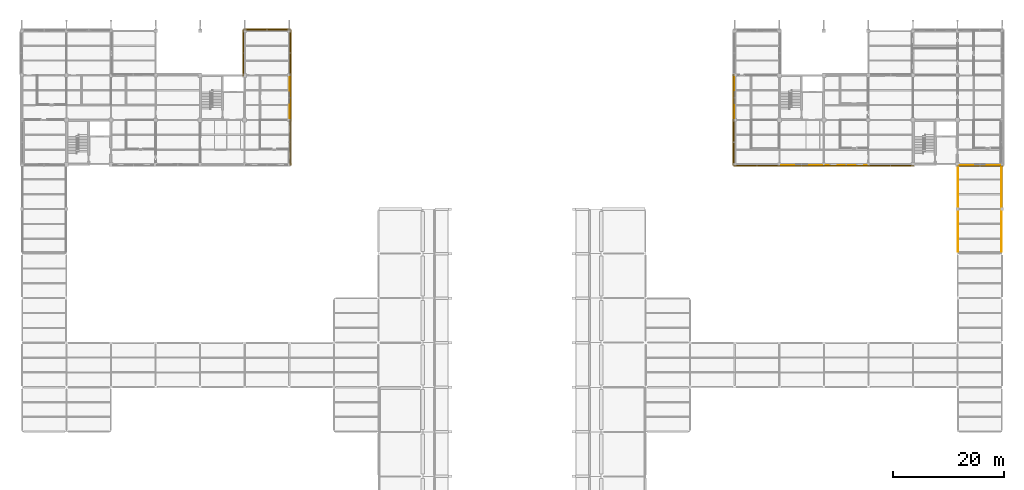
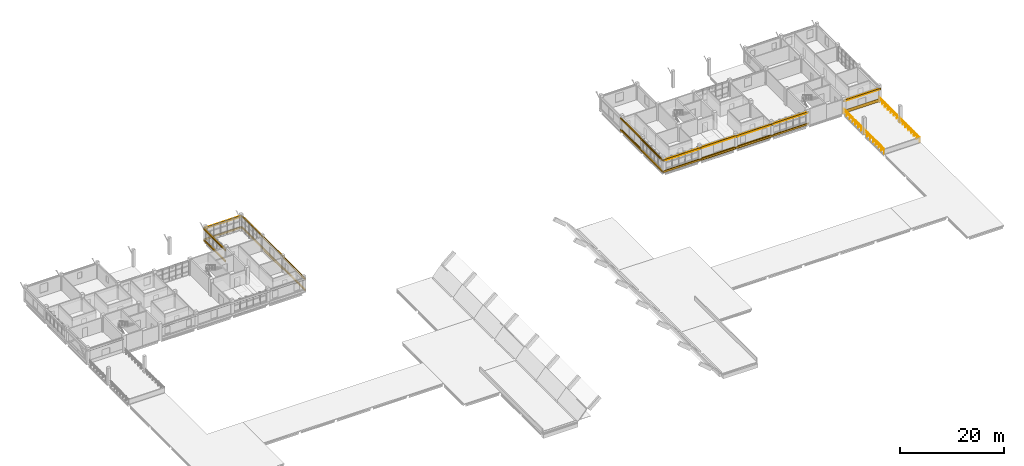
# One storey, part 34 of 35: 28 coverings, 11 shading devices, 4 railings.
"""IFC4 building model written with IfcOpenShell, lengths in metres."""

from ifc_helpers import new_model, si_unit, derived_unit, direction, frame, origin, origin_2d, place, context, subcontext, project, spatial, rectangle, circle, extrude, material, layer, layer_set, material_profile, profile_set, type_object, element, save


model = new_model("IFC4")

# Units and contexts
model_context = context("Model", 3, precision=1e-05, world=origin(), true_north=direction((0.0, 1.0)))
body_context = subcontext(model_context, "Body", "Model", "MODEL_VIEW")
ifc_project = project(units=[si_unit("LENGTHUNIT", "METRE"), si_unit("AREAUNIT", "SQUARE_METRE"), si_unit("VOLUMEUNIT", "CUBIC_METRE"), si_unit("PLANEANGLEUNIT", "RADIAN"), si_unit("MASSUNIT", "GRAM", prefix="KILO"), derived_unit("THERMALTRANSMITTANCEUNIT", [(si_unit("MASSUNIT", "GRAM", prefix="KILO"), 1), (si_unit("TIMEUNIT", "SECOND"), -3), (si_unit("THERMODYNAMICTEMPERATUREUNIT", "KELVIN"), -1)])], contexts=[model_context])

# Site, building, storey
site_placement = place(None, origin())
site = spatial("IfcSite", under=ifc_project, at=site_placement, CompositionType="ELEMENT")
building_placement = place(site_placement, origin())
building = spatial("IfcBuilding", under=site, at=building_placement, Name="Veyamyaing Civic Hall", CompositionType="ELEMENT")
storey_placement = place(building_placement, frame((0.0, 0.0, 21.780029296875)))
storey = spatial("IfcBuildingStorey", under=building, at=storey_placement, Name="L05", CompositionType="ELEMENT", Elevation=21.780029296875)

# Coverings
ifc_material_1 = material(Name="Buff sandstone ashlar cladding", Category="masonry")
ifc_layer_1 = layer(ifc_material_1, 0.050048828125, Name="Buff sandstone ashlar cladding")
ifc_layer_set_1 = layer_set([ifc_layer_1], Name="Buff sandstone ashlar cladding")
covering_type_1 = type_object("IfcCoveringType", Name="CL-01", PredefinedType="CLADDING", material=ifc_layer_set_1)
for number, where, z_axis, x_axis, name in (
    (1, (48.160888671875, 100.0, 0.044921875), (0.0, 0.0, 1.0), (0.0, 1.0, 0.0), "Facade spandrel cladding CL-01 L05 E 6.13"),
    (2, (148.0, 87.839111328125, 0.044921875), (0.0, 0.0, 1.0), (1.0, 0.0, 0.0), "Facade spandrel cladding CL-01 L05 S 19.12"),
):
    element("IfcCovering", number, at=place(storey_placement, frame(where, z_axis=z_axis, x_axis=x_axis)), inside=storey, type_object=covering_type_1, Name=name, PredefinedType="CLADDING", context=body_context, shape_type="SweptSolid", body=[
        extrude(rectangle(XDim=7.35009765625, YDim=0.050048828125, at=origin_2d()), origin(), (0.0, 0.0, 1.0), 0.75),
    ])
ifc_material_2 = material(Name="Turquoise glazed ceramic tile cladding", Category="masonry")
ifc_layer_2 = layer(ifc_material_2, 0.034912109375, Name="Turquoise glazed ceramic tile cladding")
ifc_layer_set_2 = layer_set([ifc_layer_2], Name="Turquoise glazed ceramic tile cladding")
covering_type_2 = type_object("IfcCoveringType", Name="CL-02", PredefinedType="CLADDING", material=ifc_layer_set_2)
for number, where, z_axis, x_axis, name in (
    (3, (127.846435546875, 100.0, 0.044921875), (0.0, 0.0, 1.0), (0.0, 1.0, 0.0), "Facade spandrel cladding CL-02 L05 W 17.13"),
    (4, (140.0, 87.846435546875, 0.044921875), (0.0, 0.0, 1.0), (1.0, 0.0, 0.0), "Facade spandrel cladding CL-02 L05 S 18.12"),
):
    element("IfcCovering", number, at=place(storey_placement, frame(where, z_axis=z_axis, x_axis=x_axis)), inside=storey, type_object=covering_type_2, Name=name, PredefinedType="CLADDING", context=body_context, shape_type="SweptSolid", body=[
        extrude(rectangle(XDim=7.35009765625, YDim=0.034912109375, at=origin_2d()), origin(), (0.0, 0.0, 1.0), 0.75),
    ])
covering_placement = place(storey_placement, frame((172.02490234375, 87.846435546875, 0.044921875), z_axis=(0.0, 0.0, 1.0), x_axis=(1.0, 0.0, 0.0)))
element("IfcCovering", 5, at=covering_placement, inside=storey, type_object=covering_type_2, Name="Facade spandrel cladding CL-02 L05 S 22.12", PredefinedType="CLADDING", context=body_context, shape_type="SweptSolid", body=[
    extrude(rectangle(XDim=7.300048828125, YDim=0.034912109375, at=origin_2d()), origin(), (0.0, 0.0, 1.0), 0.75),
])
ifc_material_3 = material(Name="White powder-coated aluminium 6063-T6", Category="aluminium")
ifc_layer_3 = layer(ifc_material_3, 0.2099609375, Name="White powder-coated aluminium 6063-T6")
ifc_layer_set_3 = layer_set([ifc_layer_3], Name="White powder-coated aluminium 6063-T6")
covering_type_3 = type_object("IfcCoveringType", Name="CL-03", PredefinedType="CLADDING", material=ifc_layer_set_3)
for number, where, z_axis, x_axis, name in (
    (6, (48.239990234375, 92.0, 2.928955078125), (0.0, 0.0, 1.0), (0.0, 1.0, 0.0), "Continuous white head fascia ribbon CL-03 L05 E 6.12"),
    (7, (48.239990234375, 92.0, 0.280029296875), (0.0, 0.0, 1.0), (0.0, 1.0, 0.0), "Continuous white sill fascia ribbon CL-03 L05 E 6.12"),
    (8, (48.239990234375, 100.0, 2.991943359375), (0.0, 0.0, 1.0), (0.0, 1.0, 0.0), "Continuous white head fascia ribbon CL-03 L05 E 6.13"),
    (9, (48.239990234375, 100.0, 0.280029296875), (0.0, 0.0, 1.0), (0.0, 1.0, 0.0), "Continuous white sill fascia ribbon CL-03 L05 E 6.13"),
    (10, (44.0, 112.239990234375, 2.925048828125), (0.0, 0.0, 1.0), (1.0, 0.0, 0.0), "Continuous white head fascia ribbon CL-03 L05 N 6.14"),
    (11, (44.0, 112.239990234375, 0.280029296875), (0.0, 0.0, 1.0), (1.0, 0.0, 0.0), "Continuous white sill fascia ribbon CL-03 L05 N 6.14"),
    (12, (39.760009765625, 108.0, 2.87890625), (0.0, 0.0, 1.0), (0.0, 1.0, 0.0), "Continuous white head fascia ribbon CL-03 L05 W 6.14"),
    (13, (39.760009765625, 108.0, 0.280029296875), (0.0, 0.0, 1.0), (0.0, 1.0, 0.0), "Continuous white sill fascia ribbon CL-03 L05 W 6.14"),
    (14, (48.239990234375, 108.0, 2.925048828125), (0.0, 0.0, 1.0), (0.0, 1.0, 0.0), "Continuous white head fascia ribbon CL-03 L05 E 6.14"),
    (15, (48.239990234375, 108.0, 0.280029296875), (0.0, 0.0, 1.0), (0.0, 1.0, 0.0), "Continuous white sill fascia ribbon CL-03 L05 E 6.14"),
    (16, (132.0, 87.760009765625, 2.925048828125), (0.0, 0.0, 1.0), (1.0, 0.0, 0.0), "Continuous white head fascia ribbon CL-03 L05 S 17.12"),
    (17, (132.0, 87.760009765625, 0.280029296875), (0.0, 0.0, 1.0), (1.0, 0.0, 0.0), "Continuous white sill fascia ribbon CL-03 L05 S 17.12"),
    (18, (127.760009765625, 92.0, 2.925048828125), (0.0, 0.0, 1.0), (0.0, 1.0, 0.0), "Continuous white head fascia ribbon CL-03 L05 W 17.12"),
    (19, (127.760009765625, 92.0, 0.280029296875), (0.0, 0.0, 1.0), (0.0, 1.0, 0.0), "Continuous white sill fascia ribbon CL-03 L05 W 17.12"),
    (20, (127.760009765625, 100.0, 2.989013671875), (0.0, 0.0, 1.0), (0.0, 1.0, 0.0), "Continuous white head fascia ribbon CL-03 L05 W 17.13"),
    (21, (127.760009765625, 100.0, 0.280029296875), (0.0, 0.0, 1.0), (0.0, 1.0, 0.0), "Continuous white sill fascia ribbon CL-03 L05 W 17.13"),
    (22, (140.0, 87.760009765625, 2.989013671875), (0.0, 0.0, 1.0), (1.0, 0.0, 0.0), "Continuous white head fascia ribbon CL-03 L05 S 18.12"),
    (23, (140.0, 87.760009765625, 0.280029296875), (0.0, 0.0, 1.0), (1.0, 0.0, 0.0), "Continuous white sill fascia ribbon CL-03 L05 S 18.12"),
    (24, (148.0, 87.760009765625, 2.928955078125), (0.0, 0.0, 1.0), (1.0, 0.0, 0.0), "Continuous white head fascia ribbon CL-03 L05 S 19.12"),
    (25, (148.0, 87.760009765625, 0.280029296875), (0.0, 0.0, 1.0), (1.0, 0.0, 0.0), "Continuous white sill fascia ribbon CL-03 L05 S 19.12"),
    (26, (156.0, 87.760009765625, 2.991943359375), (0.0, 0.0, 1.0), (1.0, 0.0, 0.0), "Continuous white head fascia ribbon CL-03 L05 S 20.12"),
    (27, (156.0, 87.760009765625, 0.280029296875), (0.0, 0.0, 1.0), (1.0, 0.0, 0.0), "Continuous white sill fascia ribbon CL-03 L05 S 20.12"),
    (28, (172.0, 87.760009765625, 2.87890625), (0.0, 0.0, 1.0), (1.0, 0.0, 0.0), "Continuous white head fascia ribbon CL-03 L05 S 22.12"),
):
    element("IfcCovering", number, at=place(storey_placement, frame(where, z_axis=z_axis, x_axis=x_axis)), inside=storey, type_object=covering_type_3, Name=name, PredefinedType="CLADDING", context=body_context, shape_type="SweptSolid", body=[
        extrude(rectangle(XDim=8.360107421875, YDim=0.2099609375, at=origin_2d()), origin(), (0.0, 0.0, 1.0), 0.39990234375),
    ])

# Railings
ifc_material_4 = material(Name="Steel S355J2", Category="steel")
railing_type = type_object("IfcRailingType", Name="RL-01", PredefinedType="BALUSTRADE", material=ifc_material_4)
for number, where, name in (
    (29, (168.080078125, 72.360107421875, 0.0), "Planted terrace balustrade RL-01 L05.5"),
    (30, (175.919921875, 72.360107421875, 0.0), "Planted terrace balustrade RL-01 L05.6"),
):
    element("IfcRailing", number, at=place(storey_placement, frame(where)), inside=storey, type_object=railing_type, Name=name, PredefinedType="BALUSTRADE", context=body_context, shape_type="SweptSolid", body=[
        extrude(circle(Radius=0.02392578125, at=origin_2d()), frame((0.0, 0.0, 1.076171875), z_axis=(0.0, 1.0, 0.0), x_axis=(-1.0, 0.0, 0.0)), (0.0, 0.0, 1.0), 7.559814453125),
        extrude(circle(Radius=0.01416015625, at=origin_2d()), frame((0.0, 0.0, 0.572021484375), z_axis=(0.0, 1.0, 0.0), x_axis=(-1.0, 0.0, 0.0)), (0.0, 0.0, 1.0), 7.559814453125),
        extrude(circle(Radius=0.02099609375, at=origin_2d()), origin(), (0.0, 0.0, 1.0), 1.052001953125),
        extrude(circle(Radius=0.02099609375, at=origin_2d()), frame((0.0, 1.080078125, 0.0)), (0.0, 0.0, 1.0), 1.052001953125),
        extrude(circle(Radius=0.02099609375, at=origin_2d()), frame((0.0, 2.159912109375, 0.0)), (0.0, 0.0, 1.0), 1.052001953125),
        extrude(circle(Radius=0.02099609375, at=origin_2d()), frame((0.0, 3.239990234375, 0.0)), (0.0, 0.0, 1.0), 1.052001953125),
        extrude(circle(Radius=0.02099609375, at=origin_2d()), frame((0.0, 4.31982421875, 0.0)), (0.0, 0.0, 1.0), 1.052001953125),
        extrude(circle(Radius=0.02099609375, at=origin_2d()), frame((0.0, 5.39990234375, 0.0)), (0.0, 0.0, 1.0), 1.052001953125),
        extrude(circle(Radius=0.02099609375, at=origin_2d()), frame((0.0, 6.479736328125, 0.0)), (0.0, 0.0, 1.0), 1.052001953125),
        extrude(circle(Radius=0.02099609375, at=origin_2d()), frame((0.0, 7.559814453125, 0.0)), (0.0, 0.0, 1.0), 1.052001953125),
    ])
for number, where, name in (
    (31, (168.080078125, 80.080078125, 0.0), "Planted terrace balustrade RL-01 L05.7"),
    (32, (175.919921875, 80.080078125, 0.0), "Planted terrace balustrade RL-01 L05.8"),
):
    element("IfcRailing", number, at=place(storey_placement, frame(where)), inside=storey, type_object=railing_type, Name=name, PredefinedType="BALUSTRADE", context=body_context, shape_type="SweptSolid", body=[
        extrude(circle(Radius=0.02392578125, at=origin_2d()), frame((0.0, 0.0, 1.076171875), z_axis=(0.0, 1.0, 0.0), x_axis=(-1.0, 0.0, 0.0)), (0.0, 0.0, 1.0), 7.83984375),
        extrude(circle(Radius=0.01416015625, at=origin_2d()), frame((0.0, 0.0, 0.572021484375), z_axis=(0.0, 1.0, 0.0), x_axis=(-1.0, 0.0, 0.0)), (0.0, 0.0, 1.0), 7.83984375),
        extrude(circle(Radius=0.02099609375, at=origin_2d()), origin(), (0.0, 0.0, 1.0), 1.052001953125),
        extrude(circle(Radius=0.02099609375, at=origin_2d()), frame((0.0, 1.119873046875, 0.0)), (0.0, 0.0, 1.0), 1.052001953125),
        extrude(circle(Radius=0.02099609375, at=origin_2d()), frame((0.0, 2.239990234375, 0.0)), (0.0, 0.0, 1.0), 1.052001953125),
        extrude(circle(Radius=0.02099609375, at=origin_2d()), frame((0.0, 3.35986328125, 0.0)), (0.0, 0.0, 1.0), 1.052001953125),
        extrude(circle(Radius=0.02099609375, at=origin_2d()), frame((0.0, 4.47998046875, 0.0)), (0.0, 0.0, 1.0), 1.052001953125),
        extrude(circle(Radius=0.02099609375, at=origin_2d()), frame((0.0, 5.599853515625, 0.0)), (0.0, 0.0, 1.0), 1.052001953125),
        extrude(circle(Radius=0.02099609375, at=origin_2d()), frame((0.0, 6.719970703125, 0.0)), (0.0, 0.0, 1.0), 1.052001953125),
        extrude(circle(Radius=0.02099609375, at=origin_2d()), frame((0.0, 7.83984375, 0.0)), (0.0, 0.0, 1.0), 1.052001953125),
    ])

# Shading devices
ifc_material_profile = material_profile(ifc_material_3, circle(Radius=0.090087890625, at=origin_2d()), Name="SHADE-TUBE-180")
ifc_profile_set = profile_set([ifc_material_profile], Name="White powder-coated aluminium 6063-T6")
shading_device_type = type_object("IfcShadingDeviceType", Name="SH-02", PredefinedType="USERDEFINED", material=ifc_profile_set)
for number, where, z_axis, x_axis, name in (
    (33, (48.239990234375, 96.284912109375, 3.15185546875), (0.0, 1.0, 0.0), (-1.0, 0.0, 0.0), "Horizontal white sunshade ribbon SH-02 L05 E 6.13"),
    (34, (40.284912109375, 112.239990234375, 3.0849609375), (1.0, 0.0, 0.0), (0.0, 1.0, 0.0), "Horizontal white sunshade ribbon SH-02 L05 N 6.14"),
):
    element("IfcShadingDevice", number, at=place(storey_placement, frame(where, z_axis=z_axis, x_axis=x_axis)), inside=storey, type_object=shading_device_type, Name=name, ObjectType="SUNSHADE", PredefinedType="USERDEFINED", context=body_context, shape_type="SweptSolid", body=[
        extrude(circle(Radius=0.090087890625, at=origin_2d()), origin(), (0.0, 0.0, 1.0), 7.43017578125),
    ])
shading_device_placement = place(storey_placement, frame((39.760009765625, 104.3349609375, 3.0390625), z_axis=(0.0, 1.0, 0.0), x_axis=(-1.0, 0.0, 0.0)))
element("IfcShadingDevice", 35, at=shading_device_placement, inside=storey, type_object=shading_device_type, Name="Horizontal white sunshade ribbon SH-02 L05 W 6.14", ObjectType="SUNSHADE", PredefinedType="USERDEFINED", context=body_context, shape_type="SweptSolid", body=[
    extrude(circle(Radius=0.090087890625, at=origin_2d()), origin(), (0.0, 0.0, 1.0), 7.380126953125),
])
for number, where, z_axis, x_axis, name in (
    (36, (48.239990234375, 104.284912109375, 3.0849609375), (0.0, 1.0, 0.0), (-1.0, 0.0, 0.0), "Horizontal white sunshade ribbon SH-02 L05 E 6.14"),
    (37, (128.284912109375, 87.760009765625, 3.0849609375), (1.0, 0.0, 0.0), (0.0, 1.0, 0.0), "Horizontal white sunshade ribbon SH-02 L05 S 17.12"),
    (38, (127.760009765625, 88.284912109375, 3.0849609375), (0.0, 1.0, 0.0), (-1.0, 0.0, 0.0), "Horizontal white sunshade ribbon SH-02 L05 W 17.12"),
    (39, (127.760009765625, 96.284912109375, 3.14892578125), (0.0, 1.0, 0.0), (-1.0, 0.0, 0.0), "Horizontal white sunshade ribbon SH-02 L05 W 17.13"),
    (40, (136.284912109375, 87.760009765625, 3.14892578125), (1.0, 0.0, 0.0), (0.0, 1.0, 0.0), "Horizontal white sunshade ribbon SH-02 L05 S 18.12"),
    (41, (144.284912109375, 87.760009765625, 3.0888671875), (1.0, 0.0, 0.0), (0.0, 1.0, 0.0), "Horizontal white sunshade ribbon SH-02 L05 S 19.12"),
):
    element("IfcShadingDevice", number, at=place(storey_placement, frame(where, z_axis=z_axis, x_axis=x_axis)), inside=storey, type_object=shading_device_type, Name=name, ObjectType="SUNSHADE", PredefinedType="USERDEFINED", context=body_context, shape_type="SweptSolid", body=[
        extrude(circle(Radius=0.090087890625, at=origin_2d()), origin(), (0.0, 0.0, 1.0), 7.43017578125),
    ])
for number, where, z_axis, x_axis, name in (
    (42, (152.284912109375, 87.760009765625, 3.15185546875), (1.0, 0.0, 0.0), (0.0, 1.0, 0.0), "Horizontal white sunshade ribbon SH-02 L05 S 20.12"),
    (43, (168.3349609375, 87.760009765625, 3.0390625), (1.0, 0.0, 0.0), (0.0, 1.0, 0.0), "Horizontal white sunshade ribbon SH-02 L05 S 22.12"),
):
    element("IfcShadingDevice", number, at=place(storey_placement, frame(where, z_axis=z_axis, x_axis=x_axis)), inside=storey, type_object=shading_device_type, Name=name, ObjectType="SUNSHADE", PredefinedType="USERDEFINED", context=body_context, shape_type="SweptSolid", body=[
        extrude(circle(Radius=0.090087890625, at=origin_2d()), origin(), (0.0, 0.0, 1.0), 7.380126953125),
    ])

save(model, "model.ifc")
